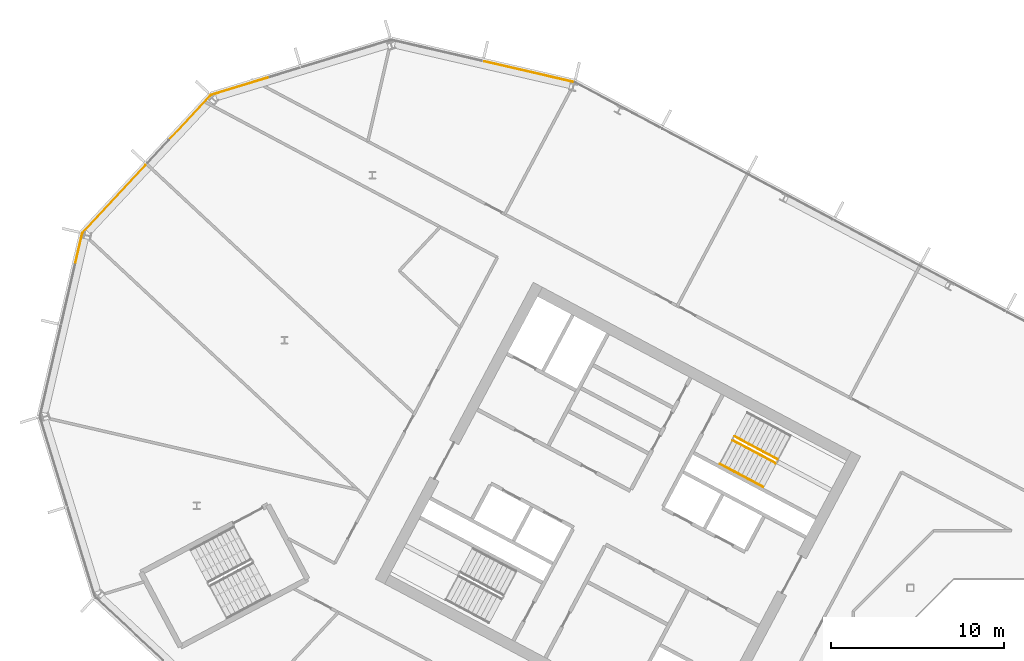
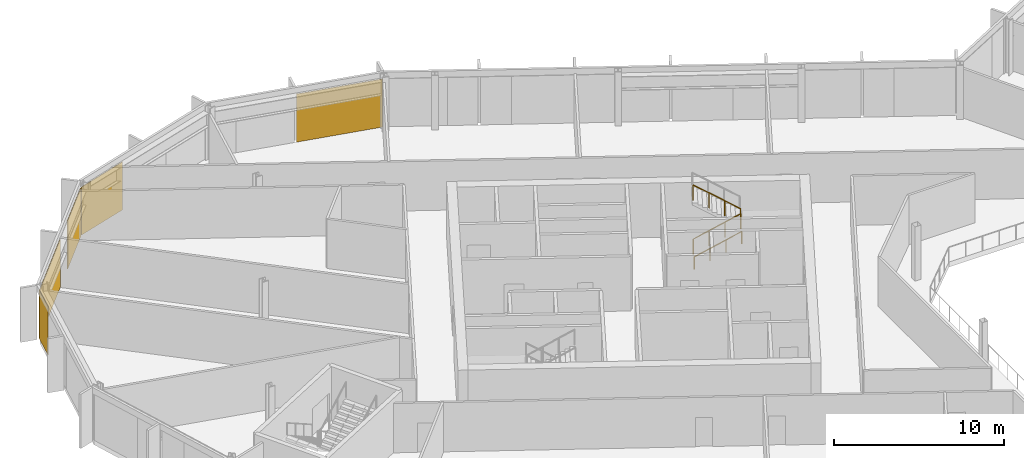
# One storey, part 22 of 27: 5 coverings, 3 railings, 4 elements without a shape of their own.
"""IFC4 building model written with IfcOpenShell, lengths in metres."""

from ifc_helpers import new_model, si_unit, direction, frame, origin, origin_2d, place, context, subcontext, project, spatial, polyline, rectangle, outline, extrude, material, layer, layer_set, type_object, element, aggregate, save


model = new_model("IFC4")

# Units and contexts
model_context = context("Model", 3, precision=1e-05, world=origin(), true_north=direction((0.0, 1.0)))
body_context = subcontext(model_context, "Body", "Model", "MODEL_VIEW")
ifc_project = project(units=[si_unit("LENGTHUNIT", "METRE"), si_unit("AREAUNIT", "SQUARE_METRE"), si_unit("VOLUMEUNIT", "CUBIC_METRE"), si_unit("PLANEANGLEUNIT", "RADIAN"), si_unit("MASSUNIT", "GRAM", prefix="KILO")], contexts=[model_context])

# Site, building, storey
site_placement = place(None, origin())
site = spatial("IfcSite", under=ifc_project, at=site_placement, CompositionType="ELEMENT")
building_placement = place(site_placement, origin())
building = spatial("IfcBuilding", under=site, at=building_placement, Name="Cormorant Relay Tower", CompositionType="ELEMENT")
storey_placement = place(building_placement, frame((0.0, 0.0, 201.300048828125)))
storey = spatial("IfcBuildingStorey", under=building, at=storey_placement, Name="L43", CompositionType="ELEMENT", Elevation=201.300048828125)

# Curtain wall, covering
ifc_material_1 = material(Name="Aluminium 6063-T6 anodised bronze", Category="aluminium")
ifc_layer_1 = layer(ifc_material_1, 0.199951171875)
ifc_layer_set_1 = layer_set([ifc_layer_1], Name="CW1 unitised bronze curtain wall with vertical fins")
curtain_wall_type = type_object("IfcCurtainWallType", Name="CW1 unitised bronze curtain wall with vertical fins", PredefinedType="NOTDEFINED", material=ifc_layer_set_1)
curtain_wall_1_placement = place(storey_placement, origin())
curtain_wall_1 = element("IfcCurtainWall", 1, at=curtain_wall_1_placement, inside=storey, type_object=curtain_wall_type, Name="CW1 curtain wall 10", PredefinedType="NOTDEFINED")
ifc_material_2 = material(Name="Pale bronze anodised aluminium insulated panel", Category="aluminium")
ifc_layer_2 = layer(ifc_material_2, 0.0400390625)
ifc_layer_set_2 = layer_set([ifc_layer_2], Name="CW1 pale bronze insulated panel 40")
covering_type = type_object("IfcCoveringType", Name="CW1 pale bronze insulated panel 40", PredefinedType="CLADDING", material=ifc_layer_set_2)
covering_1_placement = place(storey_placement, frame((-32.51708984375, 40.298828125, 0.0), z_axis=(0.0, 0.0, 1.0), x_axis=(-0.974370064785, 0.224951054344, 0.0)))
covering_1 = element("IfcCovering", 2, at=covering_1_placement, type_object=covering_type, Name="CW1 panel S00", PredefinedType="CLADDING", context=body_context, shape_type="SweptSolid", body=[
    extrude(rectangle(XDim=5.28515625, YDim=0.0400390625, at=origin_2d()), origin(), (0.0, 0.0, 1.0), 3.449951171875),
])
aggregate(curtain_wall_1, [covering_1])

curtain_wall_2_placement = place(storey_placement, origin())
curtain_wall_2 = element("IfcCurtainWall", 3, at=curtain_wall_2_placement, inside=storey, type_object=curtain_wall_type, Name="CW1 curtain wall 11", PredefinedType="NOTDEFINED")
covering_2_placement = place(storey_placement, frame((-49.16455078125, 39.474853515625, 0.0), z_axis=(0.0, 0.0, 1.0), x_axis=(-0.956304755963, -0.292371704723, 0.0)))
covering_2 = element("IfcCovering", 4, at=covering_2_placement, type_object=covering_type, Name="CW1 panel S03", PredefinedType="CLADDING", context=body_context, shape_type="SweptSolid", body=[
    extrude(rectangle(XDim=3.560302734375, YDim=0.0400390625, at=origin_2d()), origin(), (0.0, 0.0, 1.0), 3.449951171875),
])
aggregate(curtain_wall_2, [covering_2])

# Curtain wall, coverings
curtain_wall_3_placement = place(storey_placement, origin())
curtain_wall_3 = element("IfcCurtainWall", 5, at=curtain_wall_3_placement, inside=storey, type_object=curtain_wall_type, Name="CW1 curtain wall 12", PredefinedType="NOTDEFINED")
covering_3_placement = place(storey_placement, frame((-52.115234375, 37.61962890625, 0.0), z_axis=(0.0, 0.0, 1.0), x_axis=(-0.681998360062, -0.731353701619, 0.0)))
covering_3 = element("IfcCovering", 6, at=covering_3_placement, type_object=covering_type, Name="CW1 panel S00", PredefinedType="CLADDING", context=body_context, shape_type="SweptSolid", body=[
    extrude(rectangle(XDim=3.485107421875, YDim=0.0400390625, at=origin_2d()), origin(), (0.0, 0.0, 1.0), 3.449951171875),
])
covering_4_placement = place(storey_placement, frame((-56.461181640625, 32.958984375, 0.0), z_axis=(0.0, 0.0, 1.0), x_axis=(-0.681998360062, -0.731353701619, 0.0)))
covering_4 = element("IfcCovering", 7, at=covering_4_placement, type_object=covering_type, Name="CW1 panel S02", PredefinedType="CLADDING", context=body_context, shape_type="SweptSolid", body=[
    extrude(rectangle(XDim=5.360107421875, YDim=0.0400390625, at=origin_2d()), origin(), (0.0, 0.0, 1.0), 3.449951171875),
])
aggregate(curtain_wall_3, [covering_3, covering_4])

# Curtain wall, covering
curtain_wall_4_placement = place(storey_placement, origin())
curtain_wall_4 = element("IfcCurtainWall", 8, at=curtain_wall_4_placement, inside=storey, type_object=curtain_wall_type, Name="CW1 curtain wall 13", PredefinedType="NOTDEFINED")
covering_5_placement = place(storey_placement, frame((-58.50048828125, 30.095458984375, 0.0), z_axis=(0.0, 0.0, 1.0), x_axis=(-0.224951054344, -0.974370064785, 0.0)))
covering_5 = element("IfcCovering", 9, at=covering_5_placement, type_object=covering_type, Name="CW1 panel S00", PredefinedType="CLADDING", context=body_context, shape_type="SweptSolid", body=[
    extrude(rectangle(XDim=1.685302734375, YDim=0.0400390625, at=origin_2d()), origin(), (0.0, 0.0, 1.0), 3.449951171875),
])
aggregate(curtain_wall_4, [covering_5])

# Railings
ifc_material_3 = material(Name="Steel ASTM A572 Grade 50 (Fy 345 MPa)", Category="steel")
railing_type_1 = type_object("IfcRailingType", Name="Stair guard 1100", PredefinedType="GUARDRAIL", material=ifc_material_3)
railing_1_placement = place(storey_placement, frame((-20.75048828125, 19.017822265625, 0.17724609375)))
element("IfcRailing", 10, at=railing_1_placement, inside=storey, type_object=railing_type_1, Name="L43 A1 stair guard 1", PredefinedType="GUARDRAIL", context=body_context, shape_type="SweptSolid", body=[
    extrude(outline(polyline([(0.022216796875, 0.00927734375), (0.00927734375, 0.022216796875), (-0.00927734375, 0.022216796875), (-0.022216796875, 0.00927734375), (-0.022216796875, -0.00927734375), (-0.00927734375, -0.022216796875), (0.00927734375, -0.022216796875), (0.022216796875, -0.00927734375), (0.022216796875, 0.00927734375)])), frame((0.0, 0.0, 1.076171875), z_axis=(0.746001213114, -0.396649272309, 0.534931345884), x_axis=(0.469465464807, 0.882950835185, 0.0)), (0.0, 0.0, 1.0), 3.31396484375),
    extrude(outline(polyline([(0.019287109375, 0.008056640625), (0.008056640625, 0.019287109375), (-0.008056640625, 0.019287109375), (-0.019287109375, 0.008056640625), (-0.019287109375, -0.008056640625), (-0.008056640625, -0.019287109375), (0.008056640625, -0.019287109375), (0.019287109375, -0.008056640625), (0.019287109375, 0.008056640625)])), origin(), (0.0, 0.0, 1.0), 1.052001953125),
    extrude(outline(polyline([(0.019287109375, 0.008056640625), (0.008056640625, 0.019287109375), (-0.008056640625, 0.019287109375), (-0.019287109375, 0.008056640625), (-0.019287109375, -0.008056640625), (-0.008056640625, -0.019287109375), (0.008056640625, -0.019287109375), (0.019287109375, -0.008056640625), (0.019287109375, 0.008056640625)])), frame((0.823974609375, -0.438232421875, 0.5908203125)), (0.0, 0.0, 1.0), 1.052001953125),
    extrude(outline(polyline([(0.019287109375, 0.008056640625), (0.008056640625, 0.019287109375), (-0.008056640625, 0.019287109375), (-0.019287109375, 0.008056640625), (-0.019287109375, -0.008056640625), (-0.008056640625, -0.019287109375), (0.008056640625, -0.019287109375), (0.019287109375, -0.008056640625), (0.019287109375, 0.008056640625)])), frame((1.648193359375, -0.876220703125, 1.181884765625)), (0.0, 0.0, 1.0), 1.052001953125),
    extrude(outline(polyline([(0.019287109375, 0.008056640625), (0.008056640625, 0.019287109375), (-0.008056640625, 0.019287109375), (-0.019287109375, 0.008056640625), (-0.019287109375, -0.008056640625), (-0.008056640625, -0.019287109375), (0.008056640625, -0.019287109375), (0.019287109375, -0.008056640625), (0.019287109375, 0.008056640625)])), frame((2.47216796875, -1.314453125, 1.772705078125)), (0.0, 0.0, 1.0), 1.052001953125),
])
railing_2_placement = place(storey_placement, frame((-18.160888671875, 17.924072265625, 2.127197265625)))
element("IfcRailing", 11, at=railing_2_placement, inside=storey, type_object=railing_type_1, Name="L43 A1 stair guard 3", PredefinedType="GUARDRAIL", context=body_context, shape_type="SweptSolid", body=[
    extrude(outline(polyline([(0.022216796875, 0.00927734375), (0.00927734375, 0.022216796875), (-0.00927734375, 0.022216796875), (-0.022216796875, 0.00927734375), (-0.022216796875, -0.00927734375), (-0.00927734375, -0.022216796875), (0.00927734375, -0.022216796875), (0.022216796875, -0.00927734375), (0.022216796875, 0.00927734375)])), frame((0.0, 0.0, 1.076171875), z_axis=(-0.746033882577, 0.396627473466, 0.534901947407), x_axis=(-0.469429322983, -0.882970050864, 0.0)), (0.0, 0.0, 1.0), 3.31396484375),
    extrude(outline(polyline([(0.019287109375, 0.008056640625), (0.008056640625, 0.019287109375), (-0.008056640625, 0.019287109375), (-0.019287109375, 0.008056640625), (-0.019287109375, -0.008056640625), (-0.008056640625, -0.019287109375), (0.008056640625, -0.019287109375), (0.019287109375, -0.008056640625), (0.019287109375, 0.008056640625)])), origin(), (0.0, 0.0, 1.0), 1.052001953125),
    extrude(outline(polyline([(0.019287109375, 0.008056640625), (0.008056640625, 0.019287109375), (-0.008056640625, 0.019287109375), (-0.019287109375, 0.008056640625), (-0.019287109375, -0.008056640625), (-0.008056640625, -0.019287109375), (0.008056640625, -0.019287109375), (0.019287109375, -0.008056640625), (0.019287109375, 0.008056640625)])), frame((-0.82421875, 0.438232421875, 0.5908203125)), (0.0, 0.0, 1.0), 1.052001953125),
    extrude(outline(polyline([(0.019287109375, 0.008056640625), (0.008056640625, 0.019287109375), (-0.008056640625, 0.019287109375), (-0.019287109375, 0.008056640625), (-0.019287109375, -0.008056640625), (-0.008056640625, -0.019287109375), (0.008056640625, -0.019287109375), (0.019287109375, -0.008056640625), (0.019287109375, 0.008056640625)])), frame((-1.648193359375, 0.876220703125, 1.181884765625)), (0.0, 0.0, 1.0), 1.052001953125),
    extrude(outline(polyline([(0.019287109375, 0.008056640625), (0.008056640625, 0.019287109375), (-0.008056640625, 0.019287109375), (-0.019287109375, 0.008056640625), (-0.019287109375, -0.008056640625), (-0.008056640625, -0.019287109375), (0.008056640625, -0.019287109375), (0.019287109375, -0.008056640625), (0.019287109375, 0.008056640625)])), frame((-2.472412109375, 1.314453125, 1.772705078125)), (0.0, 0.0, 1.0), 1.052001953125),
])
ifc_material_4 = material(Name="Steel ASTM A572 Grade 50 (Fy 345 MPa)", Category="steel")
railing_type_2 = type_object("IfcRailingType", Name="Stair handrail 900", PredefinedType="HANDRAIL", material=ifc_material_4)
railing_3_placement = place(storey_placement, frame((-21.478271484375, 17.6494140625, 0.17724609375)))
element("IfcRailing", 12, at=railing_3_placement, inside=storey, type_object=railing_type_2, Name="L43 A1 stair handrail 1", PredefinedType="HANDRAIL", context=body_context, shape_type="SweptSolid", body=[
    extrude(outline(polyline([(0.022216796875, 0.00927734375), (0.00927734375, 0.022216796875), (-0.00927734375, 0.022216796875), (-0.022216796875, 0.00927734375), (-0.022216796875, -0.00927734375), (-0.00927734375, -0.022216796875), (0.00927734375, -0.022216796875), (0.022216796875, -0.00927734375), (0.022216796875, 0.00927734375)])), frame((0.0, 0.0, 0.8759765625), z_axis=(0.746012083385, -0.396689549623, 0.534886317514), x_axis=(0.469497295046, 0.882933910293, 0.0)), (0.0, 0.0, 1.0), 3.314208984375),
    extrude(outline(polyline([(0.019287109375, 0.008056640625), (0.008056640625, 0.019287109375), (-0.008056640625, 0.019287109375), (-0.019287109375, 0.008056640625), (-0.019287109375, -0.008056640625), (-0.008056640625, -0.019287109375), (0.008056640625, -0.019287109375), (0.019287109375, -0.008056640625), (0.019287109375, 0.008056640625)])), origin(), (0.0, 0.0, 1.0), 0.851806640625),
    extrude(outline(polyline([(0.019287109375, 0.008056640625), (0.008056640625, 0.019287109375), (-0.008056640625, 0.019287109375), (-0.019287109375, 0.008056640625), (-0.019287109375, -0.008056640625), (-0.008056640625, -0.019287109375), (0.008056640625, -0.019287109375), (0.019287109375, -0.008056640625), (0.019287109375, 0.008056640625)])), frame((0.82421875, -0.438232421875, 0.5908203125)), (0.0, 0.0, 1.0), 0.851806640625),
    extrude(outline(polyline([(0.019287109375, 0.008056640625), (0.008056640625, 0.019287109375), (-0.008056640625, 0.019287109375), (-0.019287109375, 0.008056640625), (-0.019287109375, -0.008056640625), (-0.008056640625, -0.019287109375), (0.008056640625, -0.019287109375), (0.019287109375, -0.008056640625), (0.019287109375, 0.008056640625)])), frame((1.648193359375, -0.87646484375, 1.181884765625)), (0.0, 0.0, 1.0), 0.851806640625),
    extrude(outline(polyline([(0.019287109375, 0.008056640625), (0.008056640625, 0.019287109375), (-0.008056640625, 0.019287109375), (-0.019287109375, 0.008056640625), (-0.019287109375, -0.008056640625), (-0.008056640625, -0.019287109375), (0.008056640625, -0.019287109375), (0.019287109375, -0.008056640625), (0.019287109375, 0.008056640625)])), frame((2.472412109375, -1.314697265625, 1.772705078125)), (0.0, 0.0, 1.0), 0.851806640625),
])

save(model, "model.ifc")
